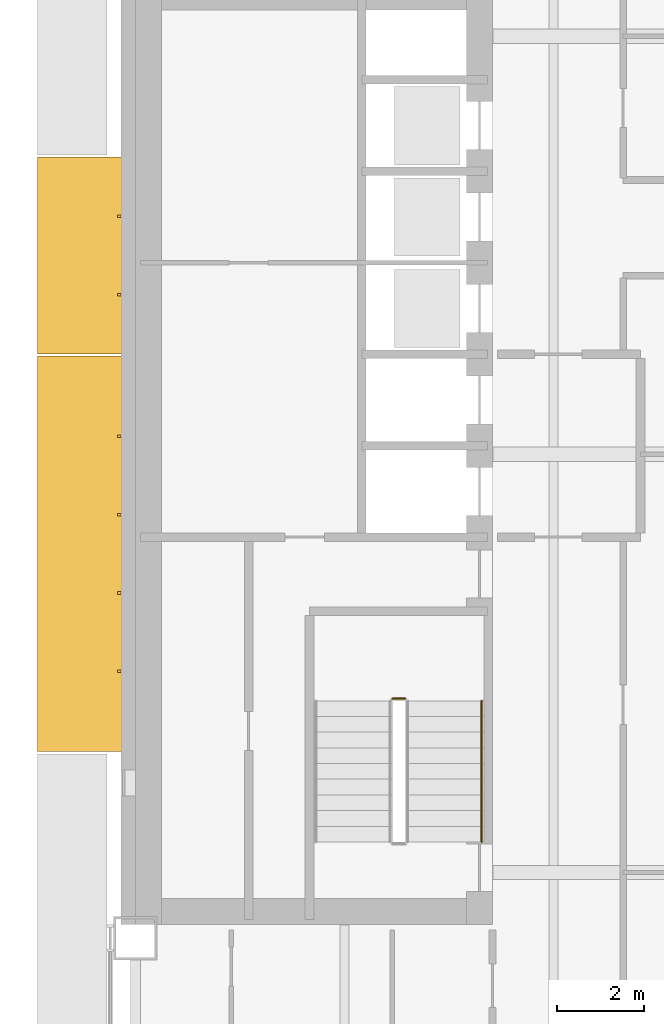
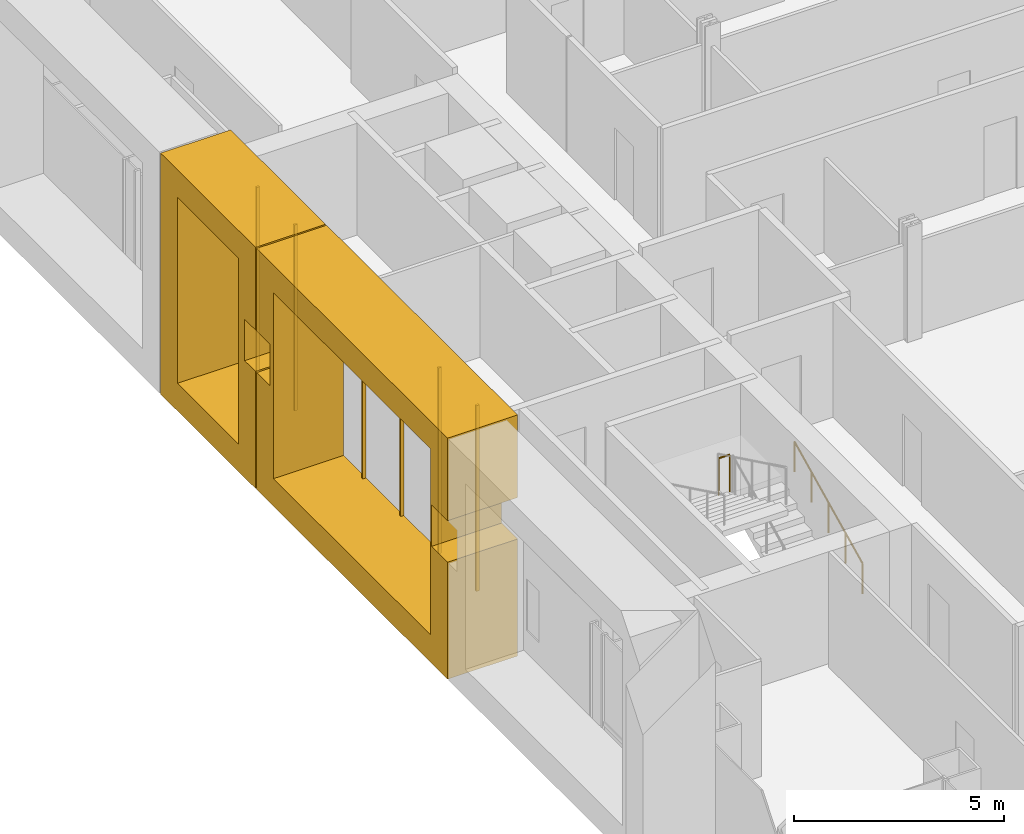
# One storey, part 21 of 25: 8 coverings, 2 railings.
"""IFC4 building model written with IfcOpenShell, lengths in metres."""

from ifc_helpers import new_model, si_unit, direction, frame, origin, origin_2d, place, context, subcontext, project, spatial, polyline, rectangle, circle, outline, extrude, material, type_object, element, save


model = new_model("IFC4")

# Units and contexts
model_context = context("Model", 3, precision=1e-05, world=origin(), true_north=direction((0.0, 1.0)))
body_context = subcontext(model_context, "Body", "Model", "MODEL_VIEW")
ifc_project = project(units=[si_unit("LENGTHUNIT", "METRE"), si_unit("AREAUNIT", "SQUARE_METRE"), si_unit("VOLUMEUNIT", "CUBIC_METRE"), si_unit("PLANEANGLEUNIT", "RADIAN"), si_unit("MASSUNIT", "GRAM", prefix="KILO")], contexts=[model_context])

# Site, building, storey
site_placement = place(None, origin())
site = spatial("IfcSite", under=ifc_project, at=site_placement, CompositionType="ELEMENT")
building_placement = place(site_placement, origin())
building = spatial("IfcBuilding", under=site, at=building_placement, Name="Cobrizo Arcos Hotel Tower", CompositionType="ELEMENT")
storey_placement = place(building_placement, frame((0.0, 0.0, 53.0)))
storey = spatial("IfcBuildingStorey", under=building, at=storey_placement, Name="L11", CompositionType="ELEMENT", Elevation=53.0)

# Coverings
ifc_material_1 = material(Name="Aluminium 6063-T6 anodised bronze", Category="aluminium")
covering_type_1 = type_object("IfcCoveringType", Name="FIN-F 1925", PredefinedType="CLADDING", material=ifc_material_1)
covering_1_placement = place(storey_placement, frame((-24.324951171875, 6.824951171875, 0.0), z_axis=(-1.0, 0.0, 0.0), x_axis=(0.0, -1.0, 0.0)))
element("IfcCovering", 1, at=covering_1_placement, inside=storey, type_object=covering_type_1, Name="Fin frame 71", PredefinedType="CLADDING", context=body_context, shape_type="SweptSolid", body=[
    extrude(outline(polyline([(4.5166015625, 0.0), (4.5166015625, 3.39794921875), (4.000732421875, 3.39794921875), (4.000732421875, 4.60205078125), (4.5166015625, 4.60205078125), (4.5166015625, 7.0), (0.0, 7.0), (0.0, 0.0), (4.5166015625, 0.0)]), holes=[polyline([(3.716796875, 0.800048828125), (0.800048828125, 0.800048828125), (0.800048828125, 6.199951171875), (3.716796875, 6.199951171875), (3.716796875, 0.800048828125)])]), origin(), (0.0, 0.0, 1.0), 1.925048828125),
])
covering_2_placement = place(storey_placement, frame((-24.324951171875, 2.25830078125, 0.0), z_axis=(-1.0, 0.0, 0.0), x_axis=(0.0, -1.0, 0.0)))
element("IfcCovering", 2, at=covering_2_placement, inside=storey, type_object=covering_type_1, Name="Fin frame 72", PredefinedType="CLADDING", context=body_context, shape_type="SweptSolid", body=[
    extrude(outline(polyline([(9.083251953125, 0.0), (9.083251953125, 3.39794921875), (8.322998046875, 3.39794921875), (8.322998046875, 4.60205078125), (9.083251953125, 4.60205078125), (9.083251953125, 7.0), (0.0, 7.0), (0.0, 4.60205078125), (0.63818359375, 4.60205078125), (0.63818359375, 3.39794921875), (0.0, 3.39794921875), (0.0, 0.0), (9.083251953125, 0.0)]), holes=[polyline([(8.283203125, 0.800048828125), (0.800048828125, 0.800048828125), (0.800048828125, 6.199951171875), (8.283203125, 6.199951171875), (8.283203125, 0.800048828125)])]), origin(), (0.0, 0.0, 1.0), 1.925048828125),
])
ifc_material_2 = material(Name="Aluminium 6063-T6 anodised pale", Category="aluminium")
covering_type_2 = type_object("IfcCoveringType", Name="RS-1 rainscreen rib 60x90", PredefinedType="CLADDING", material=ifc_material_2)
for number, where, z_axis, x_axis, name in (
    (3, (-24.3701171875, 5.466552734375, 0.800048828125), (0.0, 0.0, 1.0), (0.0, -1.0, 0.0), "Rainscreen rib 117"),
    (4, (-24.3701171875, 3.666748046875, 0.800048828125), (0.0, 0.0, 1.0), (0.0, -1.0, 0.0), "Rainscreen rib 118"),
    (5, (-24.3701171875, 0.416748046875, 0.800048828125), (0.0, 0.0, 1.0), (0.0, -1.0, 0.0), "Rainscreen rib 119"),
    (6, (-24.3701171875, -1.38330078125, 0.800048828125), (0.0, 0.0, 1.0), (0.0, -1.0, 0.0), "Rainscreen rib 120"),
    (7, (-24.3701171875, -3.183349609375, 0.800048828125), (0.0, 0.0, 1.0), (0.0, -1.0, 0.0), "Rainscreen rib 121"),
    (8, (-24.3701171875, -4.9833984375, 0.800048828125), (0.0, 0.0, 1.0), (0.0, -1.0, 0.0), "Rainscreen rib 122"),
):
    element("IfcCovering", number, at=place(storey_placement, frame(where, z_axis=z_axis, x_axis=x_axis)), inside=storey, type_object=covering_type_2, Name=name, PredefinedType="CLADDING", context=body_context, shape_type="SweptSolid", body=[
        extrude(rectangle(XDim=0.06005859375, YDim=0.090087890625, at=origin_2d()), origin(), (0.0, 0.0, 1.0), 5.39990234375),
    ])

# Railings
ifc_material_3 = material(Name="Stainless steel railing", Category="steel")
railing_type_1 = type_object("IfcRailingType", Name="Stair guard 1100", PredefinedType="GUARDRAIL", material=ifc_material_3)
railing_1_placement = place(storey_placement, frame((-17.800048828125, -5.610107421875, 1.75)))
element("IfcRailing", 9, at=railing_1_placement, inside=storey, type_object=railing_type_1, Name="L11 ST-W stair guard 2", PredefinedType="GUARDRAIL", context=body_context, shape_type="SweptSolid", body=[
    extrude(circle(Radius=0.02392578125, at=origin_2d()), frame((0.0, 0.0, 1.076171875), z_axis=(-1.0, 0.0, 0.0), x_axis=(0.0, -1.0, 0.0)), (0.0, 0.0, 1.0), 0.300048828125),
    extrude(circle(Radius=0.02099609375, at=origin_2d()), origin(), (0.0, 0.0, 1.0), 1.052001953125),
    extrude(circle(Radius=0.02099609375, at=origin_2d()), frame((-0.300048828125, 0.0, 0.0)), (0.0, 0.0, 1.0), 1.052001953125),
])
railing_type_2 = type_object("IfcRailingType", Name="Stair handrail", PredefinedType="HANDRAIL", material=ifc_material_3)
railing_2_placement = place(storey_placement, frame((-16.050048828125, -8.89990234375, 0.175048828125)))
element("IfcRailing", 10, at=railing_2_placement, inside=storey, type_object=railing_type_2, Name="L11 ST-W stair handrail 1", PredefinedType="HANDRAIL", context=body_context, shape_type="SweptSolid", body=[
    extrude(circle(Radius=0.02392578125, at=origin_2d()), frame((0.0, 0.0, 0.8759765625), z_axis=(0.0, 0.899372665325, 0.437182809435), x_axis=(-1.0, 0.0, 0.0)), (0.0, 0.0, 1.0), 3.6025390625),
    extrude(circle(Radius=0.02099609375, at=origin_2d()), origin(), (0.0, 0.0, 1.0), 0.851806640625),
    extrude(circle(Radius=0.02099609375, at=origin_2d()), frame((0.0, 0.81005859375, 0.393798828125)), (0.0, 0.0, 1.0), 0.851806640625),
    extrude(circle(Radius=0.02099609375, at=origin_2d()), frame((0.0, 1.6201171875, 0.78759765625)), (0.0, 0.0, 1.0), 0.851806640625),
    extrude(circle(Radius=0.02099609375, at=origin_2d()), frame((0.0, 2.429931640625, 1.18115234375)), (0.0, 0.0, 1.0), 0.851806640625),
    extrude(circle(Radius=0.02099609375, at=origin_2d()), frame((0.0, 3.239990234375, 1.574951171875)), (0.0, 0.0, 1.0), 0.851806640625),
])

save(model, "model.ifc")
